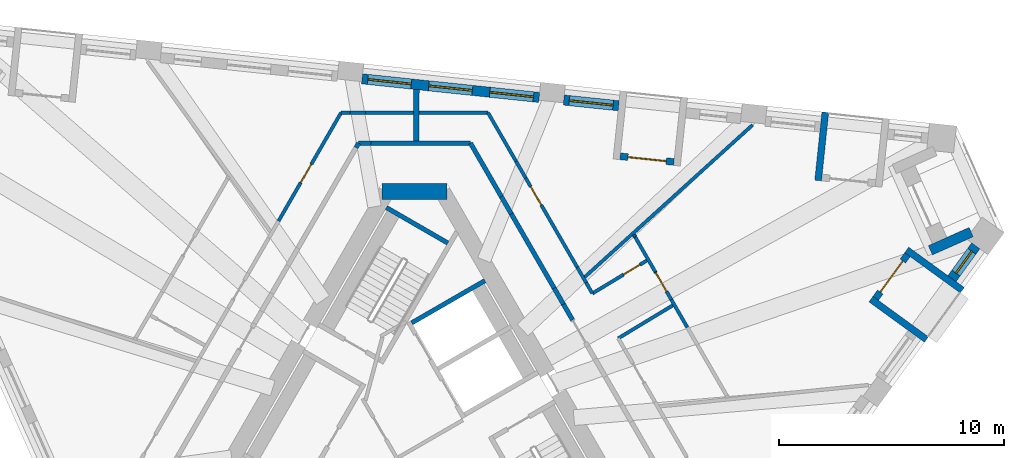
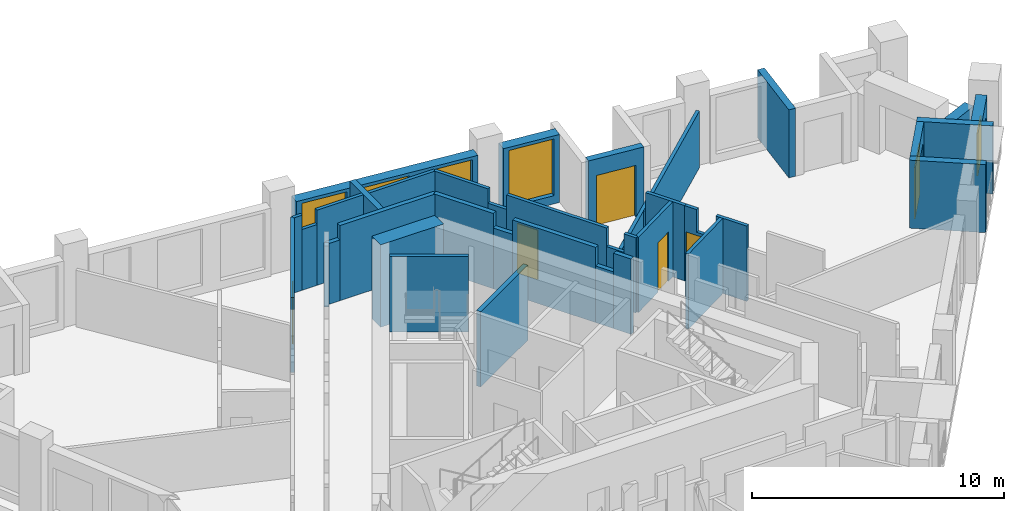
# One storey, part 7 of 11: 37 walls, 6 doors, 5 windows, 11 openings.
"""IFC4 building model written with IfcOpenShell, lengths in metres."""

from ifc_helpers import new_model, si_unit, direction, frame, frame_2d, origin, place, context, subcontext, project, spatial, polyline, rectangle, outline, extrude, material, layer, layer_set, type_object, element, fill, save


model = new_model("IFC4")

# Units and contexts
model_context = context("Model", 3, precision=1e-05, world=origin(), true_north=direction((0.0, 1.0)))
body_context = subcontext(model_context, "Body", "Model", "MODEL_VIEW")
ifc_project = project(units=[si_unit("LENGTHUNIT", "METRE"), si_unit("AREAUNIT", "SQUARE_METRE"), si_unit("VOLUMEUNIT", "CUBIC_METRE"), si_unit("PLANEANGLEUNIT", "RADIAN"), si_unit("MASSUNIT", "GRAM", prefix="KILO")], contexts=[model_context])

# Site, building, storey
site_placement = place(None, origin())
site = spatial("IfcSite", under=ifc_project, at=site_placement, CompositionType="ELEMENT")
building_placement = place(site_placement, origin())
building = spatial("IfcBuilding", under=site, at=building_placement, Name="Tramontana Tower", CompositionType="ELEMENT")
storey_placement = place(building_placement, frame((0.0, 0.0, 245.199951171875)))
storey = spatial("IfcBuildingStorey", under=building, at=storey_placement, Name="L57", CompositionType="ELEMENT", Elevation=245.199951171875)

# Walls
ifc_material_1 = material(Name="Concrete 70 MPa", Category="concrete")
ifc_layer_1 = layer(ifc_material_1, 0.699951171875)
ifc_layer_set_1 = layer_set([ifc_layer_1], Name="Core wall 700 70 MPa")
wall_type_1 = type_object("IfcWallType", Name="Core wall 700 70 MPa", PredefinedType="SHEAR", material=ifc_layer_set_1)
wall_1_placement = place(storey_placement, frame((1.443359375, 10.64990234375, 0.0), z_axis=(0.0, 0.0, 1.0), x_axis=(-1.0, 0.0, 0.0)))
element("IfcWall", 1, at=wall_1_placement, inside=storey, type_object=wall_type_1, Name="Core wall C0 L57", PredefinedType="SHEAR", context=body_context, shape_type="SweptSolid", body=[
    extrude(rectangle(XDim=2.88671875, YDim=0.699951171875, at=frame_2d((1.443359375, 0.0))), origin(), (0.0, 0.0, 1.0), 4.0),
])
ifc_material_2 = material(Name="Blockwork", Category="masonry")
ifc_layer_2 = layer(ifc_material_2, 0.199951171875)
ifc_layer_set_2 = layer_set([ifc_layer_2], Name="ENTRY WALL 200")
wall_type_2 = type_object("IfcWallType", Name="ENTRY WALL 200", PredefinedType="SOLIDWALL", material=ifc_layer_set_2)
wall_2_placement = place(storey_placement, frame((-2.599853515625, 12.596923828125, 0.0), z_axis=(0.0, 0.0, 1.0), x_axis=(0.49972245349, 0.866185586049, 0.0)))
element("IfcWall", 2, at=wall_2_placement, inside=storey, type_object=wall_type_2, Name="Wall v60-ew3-11", PredefinedType="SOLIDWALL", context=body_context, shape_type="SweptSolid", body=[
    extrude(rectangle(XDim=0.234619140625, YDim=0.199951171875, at=frame_2d((0.1171875, 0.0))), origin(), (0.0, 0.0, 1.0), 2.949951171875),
])
wall_3_placement = place(storey_placement, frame((-2.482666015625, 12.800048828125, 0.0), z_axis=(0.0, 0.0, 1.0), x_axis=(1.0, 0.0, 0.0)))
element("IfcWall", 3, at=wall_3_placement, inside=storey, type_object=wall_type_2, Name="Wall v60-ew4-0", PredefinedType="SOLIDWALL", context=body_context, shape_type="SweptSolid", body=[
    extrude(rectangle(XDim=0.5576171875, YDim=0.199951171875, at=frame_2d((0.27880859375, 0.0))), origin(), (0.0, 0.0, 1.0), 2.949951171875),
])
wall_4_placement = place(storey_placement, frame((-1.925048828125, 12.800048828125, 0.0), z_axis=(0.0, 0.0, 1.0), x_axis=(1.0, 0.0, 0.0)))
element("IfcWall", 4, at=wall_4_placement, inside=storey, type_object=wall_type_2, Name="Wall v60-ew4-1", PredefinedType="SOLIDWALL", context=body_context, shape_type="SweptSolid", body=[
    extrude(rectangle(XDim=4.40771484375, YDim=0.199951171875, at=frame_2d((2.203857421875, 0.0))), origin(), (0.0, 0.0, 1.0), 3.650146484375),
])
wall_5_placement = place(storey_placement, frame((2.482666015625, 12.800048828125, 0.0), z_axis=(0.0, 0.0, 1.0), x_axis=(0.499956000529, -0.8660508054, 0.0)))
element("IfcWall", 5, at=wall_5_placement, inside=storey, type_object=wall_type_2, Name="Wall v60-ew5-0", PredefinedType="SOLIDWALL", context=body_context, shape_type="SweptSolid", body=[
    extrude(rectangle(XDim=2.744873046875, YDim=0.199951171875, at=frame_2d((1.37255859375, 0.0))), origin(), (0.0, 0.0, 1.0), 3.650146484375),
])
wall_6_placement = place(storey_placement, frame((3.85498046875, 10.4228515625, 0.0), z_axis=(0.0, 0.0, 1.0), x_axis=(0.500135429527, -0.86594719939, 0.0)))
element("IfcWall", 6, at=wall_6_placement, inside=storey, type_object=wall_type_2, Name="Wall v60-ew5-1", PredefinedType="SOLIDWALL", context=body_context, shape_type="SweptSolid", body=[
    extrude(rectangle(XDim=0.886962890625, YDim=0.199951171875, at=frame_2d((0.443359375, 0.0))), origin(), (0.0, 0.0, 1.0), 2.949951171875),
])
wall_7_placement = place(storey_placement, frame((4.298583984375, 9.65478515625, 0.0), z_axis=(0.0, 0.0, 1.0), x_axis=(0.499997905474, -0.866026613056, 0.0)))
element("IfcWall", 7, at=wall_7_placement, inside=storey, type_object=wall_type_2, Name="Wall v60-ew5-2", PredefinedType="SOLIDWALL", context=body_context, shape_type="SweptSolid", body=[
    extrude(rectangle(XDim=3.810546875, YDim=0.199951171875, at=frame_2d((1.9052734375, 0.0))), origin(), (0.0, 0.0, 1.0), 3.650146484375),
])
wall_8_placement = place(storey_placement, frame((6.203857421875, 6.354736328125, 0.0), z_axis=(0.0, 0.0, 1.0), x_axis=(0.499911126926, -0.866076708598, 0.0)))
element("IfcWall", 8, at=wall_8_placement, inside=storey, type_object=wall_type_2, Name="Wall v60-ew5-3", PredefinedType="SOLIDWALL", context=body_context, shape_type="SweptSolid", body=[
    extrude(rectangle(XDim=0.821533203125, YDim=0.199951171875, at=frame_2d((0.41064453125, 0.0))), origin(), (0.0, 0.0, 1.0), 2.75),
])
wall_9_placement = place(storey_placement, frame((6.614501953125, 5.643310546875, 0.0), z_axis=(0.0, 0.0, 1.0), x_axis=(0.499984757355, -0.866034203951, 0.0)))
element("IfcWall", 9, at=wall_9_placement, inside=storey, type_object=wall_type_2, Name="Wall v60-ew5-4", PredefinedType="SOLIDWALL", context=body_context, shape_type="SweptSolid", body=[
    extrude(rectangle(XDim=0.8056640625, YDim=0.199951171875, at=frame_2d((0.40283203125, 0.0))), origin(), (0.0, 0.0, 1.0), 3.650146484375),
])

# Wall, opening, window
ifc_material_3 = material(Name="Precast concrete 60 MPa", Category="concrete")
ifc_layer_3 = layer(ifc_material_3, 0.449951171875)
ifc_layer_set_3 = layer_set([ifc_layer_3], Name="Precast concrete 60 MPa, 450 mm")
wall_type_3 = type_object("IfcWallType", Name="EW1 Stone-faced precast wall 450", PredefinedType="SOLIDWALL", material=ifc_layer_set_3)
wall_10_placement = place(storey_placement, frame((23.868408203125, 6.77978515625, 0.0), z_axis=(0.0, 0.0, 1.0), x_axis=(0.587793056764, 0.809011324037, 0.0)))
wall_10 = element("IfcWall", 10, at=wall_10_placement, inside=storey, type_object=wall_type_3, Name="External wall L57 face 1 bay 5", PredefinedType="SOLIDWALL", context=body_context, shape_type="SweptSolid", body=[
    extrude(rectangle(XDim=1.80224609375, YDim=0.449951171875, at=frame_2d((0.901123046875, 0.0))), origin(), (0.0, 0.0, 1.0), 3.300048828125),
])
opening_1_placement = place(wall_10_placement, frame((0.301025390625, 0.0, 0.39990234375)))
opening_1 = element("IfcOpeningElement", 11, at=opening_1_placement, cuts=wall_10, Name="Opening N3L", PredefinedType="OPENING", context=body_context, shape_type="SweptSolid", body=[
    extrude(rectangle(XDim=1.199951171875, YDim=2.10009765625, at=frame_2d((0.60009765625, 1.050048828125))), frame((0.0, 0.23486328125, 0.0), z_axis=(0.0, -1.0, 0.0), x_axis=(1.0, 0.0, 0.0)), (0.0, 0.0, 1.0), 0.469970703125),
])
ifc_material_4 = material(Name="Aluminum frame, double glazing unit", Category="aluminium")
window_type_1 = type_object("IfcWindowType", Name="N3L Window 1.2 x 2.1", PartitioningType="SINGLE_PANEL", PredefinedType="WINDOW", material=ifc_material_4)
window_1_placement = place(opening_1_placement, origin())
window_1 = element("IfcWindow", 12, at=window_1_placement, inside=storey, type_object=window_type_1, Name="Window N3L L57 face 1 module 15", OverallHeight=2.10009765625, OverallWidth=1.199951171875, PartitioningType="SINGLE_PANEL", PredefinedType="WINDOW", context=body_context, shape_type="SweptSolid", body=[
    extrude(rectangle(XDim=1.199951171875, YDim=2.10009765625, at=frame_2d((0.60009765625, 1.050048828125))), frame((0.0, 0.030029296875, 0.0), z_axis=(0.0, -1.0, 0.0), x_axis=(1.0, 0.0, 0.0)), (0.0, 0.0, 1.0), 0.06005859375),
])
fill(opening_1, window_1)

wall_11_placement = place(storey_placement, frame((9.06640625, 14.45654296875, 0.0), z_axis=(0.0, 0.0, 1.0), x_axis=(-0.994521805438, 0.10452931889, 0.0)))
wall_11 = element("IfcWall", 13, at=wall_11_placement, inside=storey, type_object=wall_type_3, Name="External wall L57 face 2 bay 2", PredefinedType="SOLIDWALL", context=body_context, shape_type="SweptSolid", body=[
    extrude(rectangle(XDim=2.452392578125, YDim=0.449951171875, at=frame_2d((1.22607421875, 0.0))), origin(), (0.0, 0.0, 1.0), 3.300048828125),
])
opening_2_placement = place(wall_11_placement, frame((0.251220703125, 0.0, 0.39990234375)))
opening_2 = element("IfcOpeningElement", 14, at=opening_2_placement, cuts=wall_11, Name="Opening M3", PredefinedType="OPENING", context=body_context, shape_type="SweptSolid", body=[
    extrude(rectangle(XDim=1.949951171875, YDim=2.75, at=frame_2d((0.97509765625, 1.375))), frame((0.0, 0.23486328125, 0.0), z_axis=(0.0, -1.0, 0.0), x_axis=(1.0, 0.0, 0.0)), (0.0, 0.0, 1.0), 0.469970703125),
])
ifc_material_5 = material(Name="Aluminum frame, double glazing unit", Category="aluminium")
window_type_2 = type_object("IfcWindowType", Name="M3 Window 1.95 x 2.75", PartitioningType="SINGLE_PANEL", PredefinedType="WINDOW", material=ifc_material_5)
window_2_placement = place(opening_2_placement, origin())
window_2 = element("IfcWindow", 15, at=window_2_placement, inside=storey, type_object=window_type_2, Name="Window M3 L57 face 2 module 6", OverallHeight=2.75, OverallWidth=1.949951171875, PartitioningType="SINGLE_PANEL", PredefinedType="WINDOW", context=body_context, shape_type="SweptSolid", body=[
    extrude(rectangle(XDim=1.949951171875, YDim=2.75, at=frame_2d((0.97509765625, 1.375))), frame((0.0, 0.030029296875, 0.0), z_axis=(0.0, -1.0, 0.0), x_axis=(1.0, 0.0, 0.0)), (0.0, 0.0, 1.0), 0.06005859375),
])
fill(opening_2, window_2)

# Wall, openings, windows
wall_12_placement = place(storey_placement, frame((5.53369140625, 14.827880859375, 0.0), z_axis=(0.0, 0.0, 1.0), x_axis=(-0.994522865711, 0.104519230663, 0.0)))
wall_12 = element("IfcWall", 16, at=wall_12_placement, inside=storey, type_object=wall_type_3, Name="External wall L57 face 2 bay 3", PredefinedType="SOLIDWALL", context=body_context, shape_type="SweptSolid", body=[
    extrude(rectangle(XDim=7.90673828125, YDim=0.449951171875, at=frame_2d((3.953369140625, 0.0))), origin(), (0.0, 0.0, 1.0), 3.300048828125),
])
opening_3_placement = place(wall_12_placement, frame((0.251220703125, 0.0, 0.39990234375)))
opening_3 = element("IfcOpeningElement", 17, at=opening_3_placement, cuts=wall_12, Name="Opening M3", PredefinedType="OPENING", context=body_context, shape_type="SweptSolid", body=[
    extrude(rectangle(XDim=1.949951171875, YDim=2.75, at=frame_2d((0.97509765625, 1.375))), frame((0.0, 0.23486328125, 0.0), z_axis=(0.0, -1.0, 0.0), x_axis=(1.0, 0.0, 0.0)), (0.0, 0.0, 1.0), 0.469970703125),
])
opening_4_placement = place(wall_12_placement, frame((2.978271484375, 0.0, 0.39990234375)))
opening_4 = element("IfcOpeningElement", 18, at=opening_4_placement, cuts=wall_12, Name="Opening M3", PredefinedType="OPENING", context=body_context, shape_type="SweptSolid", body=[
    extrude(rectangle(XDim=1.949951171875, YDim=2.75, at=frame_2d((0.97509765625, 1.375))), frame((0.0, 0.23486328125, 0.0), z_axis=(0.0, -1.0, 0.0), x_axis=(1.0, 0.0, 0.0)), (0.0, 0.0, 1.0), 0.469970703125),
])
opening_5_placement = place(wall_12_placement, frame((5.70556640625, 0.0, 0.39990234375)))
opening_5 = element("IfcOpeningElement", 19, at=opening_5_placement, cuts=wall_12, Name="Opening M3", PredefinedType="OPENING", context=body_context, shape_type="SweptSolid", body=[
    extrude(rectangle(XDim=1.949951171875, YDim=2.75, at=frame_2d((0.97509765625, 1.375))), frame((0.0, 0.23486328125, 0.0), z_axis=(0.0, -1.0, 0.0), x_axis=(1.0, 0.0, 0.0)), (0.0, 0.0, 1.0), 0.469970703125),
])
window_3_placement = place(opening_3_placement, origin())
window_3 = element("IfcWindow", 20, at=window_3_placement, inside=storey, type_object=window_type_2, Name="Window M3 L57 face 2 module 7", OverallHeight=2.75, OverallWidth=1.949951171875, PartitioningType="SINGLE_PANEL", PredefinedType="WINDOW", context=body_context, shape_type="SweptSolid", body=[
    extrude(rectangle(XDim=1.949951171875, YDim=2.75, at=frame_2d((0.97509765625, 1.375))), frame((0.0, 0.030029296875, 0.0), z_axis=(0.0, -1.0, 0.0), x_axis=(1.0, 0.0, 0.0)), (0.0, 0.0, 1.0), 0.06005859375),
])
fill(opening_3, window_3)
window_4_placement = place(opening_4_placement, origin())
window_4 = element("IfcWindow", 21, at=window_4_placement, inside=storey, type_object=window_type_2, Name="Window M3 L57 face 2 module 8", OverallHeight=2.75, OverallWidth=1.949951171875, PartitioningType="SINGLE_PANEL", PredefinedType="WINDOW", context=body_context, shape_type="SweptSolid", body=[
    extrude(rectangle(XDim=1.949951171875, YDim=2.75, at=frame_2d((0.97509765625, 1.375))), frame((0.0, 0.030029296875, 0.0), z_axis=(0.0, -1.0, 0.0), x_axis=(1.0, 0.0, 0.0)), (0.0, 0.0, 1.0), 0.06005859375),
])
fill(opening_4, window_4)
window_5_placement = place(opening_5_placement, origin())
window_5 = element("IfcWindow", 22, at=window_5_placement, inside=storey, type_object=window_type_2, Name="Window M3 L57 face 2 module 9", OverallHeight=2.75, OverallWidth=1.949951171875, PartitioningType="SINGLE_PANEL", PredefinedType="WINDOW", context=body_context, shape_type="SweptSolid", body=[
    extrude(rectangle(XDim=1.949951171875, YDim=2.75, at=frame_2d((0.97509765625, 1.375))), frame((0.0, 0.030029296875, 0.0), z_axis=(0.0, -1.0, 0.0), x_axis=(1.0, 0.0, 0.0)), (0.0, 0.0, 1.0), 0.06005859375),
])
fill(opening_5, window_5)

# Wall
wall_13_placement = place(storey_placement, frame((24.71923828125, 8.84375, 0.0), z_axis=(0.0, 0.0, 1.0), x_axis=(-0.913562124494, -0.406699206651, 0.0)))
element("IfcWall", 23, at=wall_13_placement, inside=storey, type_object=wall_type_3, Name="Corner loggia side wall L57 K62r", PredefinedType="SOLIDWALL", context=body_context, shape_type="SweptSolid", body=[
    extrude(rectangle(XDim=1.979248046875, YDim=0.449951171875, at=frame_2d((0.98974609375, 0.0))), origin(), (0.0, 0.0, 1.0), 2.550048828125),
])

# Wall, opening, door
ifc_material_6 = material(Name="Precast concrete 60 MPa", Category="concrete")
ifc_layer_4 = layer(ifc_material_6, 0.300048828125)
ifc_layer_set_4 = layer_set([ifc_layer_4], Name="LW1 Stone-faced loggia wall 300")
wall_type_4 = type_object("IfcWallType", Name="LW1 Stone-faced loggia wall 300", PredefinedType="SOLIDWALL", material=ifc_layer_set_4)
wall_14_placement = place(storey_placement, frame((20.47998046875, 5.9013671875, 0.0), z_axis=(0.0, 0.0, 1.0), x_axis=(0.587833242688, 0.808982125137, 0.0)))
wall_14 = element("IfcWall", 24, at=wall_14_placement, inside=storey, type_object=wall_type_4, Name="Loggia wall L57 G6S1.13", PredefinedType="SOLIDWALL", context=body_context, shape_type="SweptSolid", body=[
    extrude(rectangle(XDim=2.40234375, YDim=0.300048828125, at=frame_2d((1.201171875, 0.0))), origin(), (0.0, 0.0, 1.0), 3.300048828125),
])
opening_6_placement = place(wall_14_placement, frame((0.35107421875, 0.0, 0.0)))
opening_6 = element("IfcOpeningElement", 25, at=opening_6_placement, cuts=wall_14, Name="Opening BD-6S1-13", PredefinedType="OPENING", context=body_context, shape_type="SweptSolid", body=[
    extrude(rectangle(XDim=1.699951171875, YDim=2.5, at=frame_2d((0.85009765625, 1.25))), frame((0.0, 0.159912109375, 0.0), z_axis=(0.0, -1.0, 0.0), x_axis=(1.0, 0.0, 0.0)), (0.0, 0.0, 1.0), 0.320068359375),
])
ifc_material_7 = material(Name="Aluminum frame, double glazing unit", Category="aluminium")
door_type_1 = type_object("IfcDoorType", Name="BD3 Sliding door 1.7 x 2.5", OperationType="SLIDING_TO_LEFT", PredefinedType="DOOR", material=ifc_material_7)
door_1_placement = place(opening_6_placement, origin())
door_1 = element("IfcDoor", 26, at=door_1_placement, inside=storey, type_object=door_type_1, Name="Loggia door L57 G6S1.13", OperationType="SLIDING_TO_LEFT", OverallHeight=2.5, OverallWidth=1.699951171875, PredefinedType="DOOR", context=body_context, shape_type="SweptSolid", body=[
    extrude(rectangle(XDim=1.699951171875, YDim=2.5, at=frame_2d((0.85009765625, 1.25))), frame((0.0, 0.02490234375, 0.0), z_axis=(0.0, -1.0, 0.0), x_axis=(1.0, 0.0, 0.0)), (0.0, 0.0, 1.0), 0.050048828125),
])
fill(opening_6, door_1)

# Walls
for number, where, z_axis, x_axis, name in (
    (27, (22.738037109375, 4.075439453125, 0.0), (0.0, 0.0, 1.0), (-0.80902328748, 0.587776590479, 0.0), "Loggia return L57 G6S1.13a"),
    (28, (24.326416015625, 6.261474609375, 0.0), (0.0, 0.0, 1.0), (-0.808985223782, 0.587828978278, 0.0), "Loggia return L57 G6S1.13b"),
):
    element("IfcWall", number, at=place(storey_placement, frame(where, z_axis=z_axis, x_axis=x_axis)), inside=storey, type_object=wall_type_4, Name=name, PredefinedType="SOLIDWALL", context=body_context, shape_type="SweptSolid", body=[
        extrude(rectangle(XDim=3.050048828125, YDim=0.300048828125, at=frame_2d((1.52490234375, 0.0))), origin(), (0.0, 0.0, 1.0), 3.300048828125),
    ])
wall_15_placement = place(storey_placement, frame((18.243408203125, 14.170654296875, 0.0), z_axis=(0.0, 0.0, 1.0), x_axis=(-0.104543108891, -0.994520355942, 0.0)))
element("IfcWall", 29, at=wall_15_placement, inside=storey, type_object=wall_type_4, Name="Loggia return L57 G6S2.1b", PredefinedType="SOLIDWALL", context=body_context, shape_type="SweptSolid", body=[
    extrude(rectangle(XDim=3.0498046875, YDim=0.300048828125, at=frame_2d((1.52490234375, 0.0))), origin(), (0.0, 0.0, 1.0), 3.300048828125),
])

# Wall, opening, door
wall_16_placement = place(storey_placement, frame((11.521240234375, 11.961181640625, 0.0), z_axis=(0.0, 0.0, 1.0), x_axis=(-0.994517140727, 0.104573690763, 0.0)))
wall_16 = element("IfcWall", 30, at=wall_16_placement, inside=storey, type_object=wall_type_4, Name="Loggia wall L57 G6S2.4", PredefinedType="SOLIDWALL", context=body_context, shape_type="SweptSolid", body=[
    extrude(rectangle(XDim=2.40234375, YDim=0.300048828125, at=frame_2d((1.201171875, 0.0))), origin(), (0.0, 0.0, 1.0), 3.300048828125),
])
opening_7_placement = place(wall_16_placement, frame((0.35107421875, 0.0, 0.0)))
opening_7 = element("IfcOpeningElement", 31, at=opening_7_placement, cuts=wall_16, Name="Opening BD-6S2-04", PredefinedType="OPENING", context=body_context, shape_type="SweptSolid", body=[
    extrude(rectangle(XDim=1.699951171875, YDim=2.5, at=frame_2d((0.85009765625, 1.25))), frame((0.0, 0.159912109375, 0.0), z_axis=(0.0, -1.0, 0.0), x_axis=(1.0, 0.0, 0.0)), (0.0, 0.0, 1.0), 0.320068359375),
])
door_2_placement = place(opening_7_placement, origin())
door_2 = element("IfcDoor", 32, at=door_2_placement, inside=storey, type_object=door_type_1, Name="Loggia door L57 G6S2.4", OperationType="SLIDING_TO_LEFT", OverallHeight=2.5, OverallWidth=1.699951171875, PredefinedType="DOOR", context=body_context, shape_type="SweptSolid", body=[
    extrude(rectangle(XDim=1.699951171875, YDim=2.5, at=frame_2d((0.85009765625, 1.25))), frame((0.0, 0.02490234375, 0.0), z_axis=(0.0, -1.0, 0.0), x_axis=(1.0, 0.0, 0.0)), (0.0, 0.0, 1.0), 0.050048828125),
])
fill(opening_7, door_2)

ifc_material_8 = material(Name="Gypsum board partition")
ifc_layer_5 = layer(ifc_material_8, 0.14990234375)
ifc_layer_set_5 = layer_set([ifc_layer_5], Name="PARTITION 150")
wall_type_5 = type_object("IfcWallType", Name="PARTITION 150", PredefinedType="PARTITIONING", material=ifc_layer_set_5)
wall_17_placement = place(storey_placement, frame((-6.040283203125, 9.337890625, 0.0), z_axis=(0.0, 0.0, 1.0), x_axis=(0.500014044516, 0.866017295027, 0.0)))
wall_17 = element("IfcWall", 33, at=wall_17_placement, inside=storey, type_object=wall_type_5, Name="Wall v60-pw00-10", PredefinedType="PARTITIONING", context=body_context, shape_type="SweptSolid", body=[
    extrude(rectangle(XDim=5.556396484375, YDim=0.14990234375, at=frame_2d((2.7783203125, 0.0))), origin(), (0.0, 0.0, 1.0), 3.650146484375),
])
opening_8_placement = place(wall_17_placement, frame((1.970947265625, 0.0, 0.0)))
opening_8 = element("IfcOpeningElement", 34, at=opening_8_placement, cuts=wall_17, Name="Opening B6A-02", PredefinedType="OPENING", context=body_context, shape_type="SweptSolid", body=[
    extrude(rectangle(XDim=0.949951171875, YDim=2.39990234375, at=frame_2d((0.47509765625, 1.199951171875))), frame((0.0, 0.0849609375, 0.0), z_axis=(0.0, -1.0, 0.0), x_axis=(1.0, 0.0, 0.0)), (0.0, 0.0, 1.0), 0.169921875),
])
ifc_material_9 = material(Name="Painted timber", Category="wood")
door_type_2 = type_object("IfcDoorType", Name="DOOR ROOM 950", OperationType="SINGLE_SWING_LEFT", PredefinedType="DOOR", material=ifc_material_9)
door_3_placement = place(opening_8_placement, origin())
door_3 = element("IfcDoor", 35, at=door_3_placement, inside=storey, type_object=door_type_2, Name="Door B6A-02", OperationType="SINGLE_SWING_RIGHT", OverallHeight=2.39990234375, OverallWidth=0.949951171875, PredefinedType="DOOR", context=body_context, shape_type="SweptSolid", body=[
    extrude(rectangle(XDim=0.949951171875, YDim=2.39990234375, at=frame_2d((0.47509765625, 1.199951171875))), frame((0.0, 0.02490234375, 0.0), z_axis=(0.0, -1.0, 0.0), x_axis=(1.0, 0.0, 0.0)), (0.0, 0.0, 1.0), 0.050048828125),
])
fill(opening_8, door_3)

# Walls
wall_18_placement = place(storey_placement, frame((-3.261962890625, 14.14990234375, 0.0), z_axis=(0.0, 0.0, 1.0), x_axis=(1.0, 0.0, 0.0)))
element("IfcWall", 36, at=wall_18_placement, inside=storey, type_object=wall_type_5, Name="Wall v60-pw08-0", PredefinedType="PARTITIONING", context=body_context, shape_type="SweptSolid", body=[
    extrude(rectangle(XDim=0.398193359375, YDim=0.14990234375, at=frame_2d((0.19921875, 0.0))), origin(), (0.0, 0.0, 1.0), 3.650146484375),
])
wall_19_placement = place(storey_placement, frame((-2.86376953125, 14.14990234375, 0.0), z_axis=(0.0, 0.0, 1.0), x_axis=(1.0, 0.0, 0.0)))
element("IfcWall", 37, at=wall_19_placement, inside=storey, type_object=wall_type_5, Name="Wall v60-pw08-1", PredefinedType="PARTITIONING", context=body_context, shape_type="SweptSolid", body=[
    extrude(rectangle(XDim=0.685546875, YDim=0.14990234375, at=frame_2d((0.3427734375, 0.0))), origin(), (0.0, 0.0, 1.0), 2.949951171875),
])
wall_20_placement = place(storey_placement, frame((-2.17822265625, 14.14990234375, 0.0), z_axis=(0.0, 0.0, 1.0), x_axis=(1.0, 0.0, 0.0)))
element("IfcWall", 38, at=wall_20_placement, inside=storey, type_object=wall_type_5, Name="Wall v60-pw08-2", PredefinedType="PARTITIONING", context=body_context, shape_type="SweptSolid", body=[
    extrude(rectangle(XDim=5.440185546875, YDim=0.14990234375, at=frame_2d((2.72021484375, 0.0))), origin(), (0.0, 0.0, 1.0), 3.650146484375),
])
wall_21_placement = place(storey_placement, frame((3.261962890625, 14.14990234375, 0.0), z_axis=(0.0, 0.0, 1.0), x_axis=(0.500042260233, -0.866001003452, 0.0)))
element("IfcWall", 39, at=wall_21_placement, inside=storey, type_object=wall_type_5, Name="Wall v60-pw15-0", PredefinedType="PARTITIONING", context=body_context, shape_type="SweptSolid", body=[
    extrude(rectangle(XDim=2.489013671875, YDim=0.14990234375, at=frame_2d((1.24462890625, 0.0))), origin(), (0.0, 0.0, 1.0), 3.650146484375),
])
wall_22_placement = place(storey_placement, frame((4.506591796875, 11.994384765625, 0.0), z_axis=(0.0, 0.0, 1.0), x_axis=(0.499944768143, -0.866057289563, 0.0)))
element("IfcWall", 40, at=wall_22_placement, inside=storey, type_object=wall_type_5, Name="Wall v60-pw15-1", PredefinedType="PARTITIONING", context=body_context, shape_type="SweptSolid", body=[
    extrude(rectangle(XDim=0.85546875, YDim=0.14990234375, at=frame_2d((0.427734375, 0.0))), origin(), (0.0, 0.0, 1.0), 2.949951171875),
])

# Wall, opening, door
wall_23_placement = place(storey_placement, frame((4.934326171875, 11.25341796875, 0.0), z_axis=(0.0, 0.0, 1.0), x_axis=(0.500001111708, -0.866024761939, 0.0)))
wall_23 = element("IfcWall", 41, at=wall_23_placement, inside=storey, type_object=wall_type_5, Name="Wall v60-pw15-2", PredefinedType="PARTITIONING", context=body_context, shape_type="SweptSolid", body=[
    extrude(rectangle(XDim=4.57568359375, YDim=0.14990234375, at=frame_2d((2.287841796875, 0.0))), origin(), (0.0, 0.0, 1.0), 3.650146484375),
])
opening_9_placement = place(wall_23_placement, frame((0.445068359375, 0.0, 0.0)))
opening_9 = element("IfcOpeningElement", 42, at=opening_9_placement, cuts=wall_23, Name="Opening B6A-14", PredefinedType="OPENING", context=body_context, shape_type="SweptSolid", body=[
    extrude(rectangle(XDim=0.949951171875, YDim=2.39990234375, at=frame_2d((0.47509765625, 1.199951171875))), frame((0.0, 0.0849609375, 0.0), z_axis=(0.0, -1.0, 0.0), x_axis=(1.0, 0.0, 0.0)), (0.0, 0.0, 1.0), 0.169921875),
])
door_4_placement = place(opening_9_placement, origin())
door_4 = element("IfcDoor", 43, at=door_4_placement, inside=storey, type_object=door_type_2, Name="Door B6A-14", OperationType="SINGLE_SWING_RIGHT", OverallHeight=2.39990234375, OverallWidth=0.949951171875, PredefinedType="DOOR", context=body_context, shape_type="SweptSolid", body=[
    extrude(rectangle(XDim=0.949951171875, YDim=2.39990234375, at=frame_2d((0.47509765625, 1.199951171875))), frame((0.0, 0.02490234375, 0.0), z_axis=(0.0, -1.0, 0.0), x_axis=(1.0, 0.0, 0.0)), (0.0, 0.0, 1.0), 0.050048828125),
])
fill(opening_9, door_4)

# Walls
wall_24_placement = place(storey_placement, frame((7.22216796875, 7.290771484375, 0.0), z_axis=(0.0, 0.0, 1.0), x_axis=(0.500032254052, -0.866006781098, 0.0)))
element("IfcWall", 44, at=wall_24_placement, inside=storey, type_object=wall_type_5, Name="Wall v60-pw15-3", PredefinedType="PARTITIONING", context=body_context, shape_type="SweptSolid", body=[
    extrude(rectangle(XDim=0.7958984375, YDim=0.14990234375, at=frame_2d((0.39794921875, 0.0))), origin(), (0.0, 0.0, 1.0), 2.75),
])
wall_25_placement = place(storey_placement, frame((7.6201171875, 6.6015625, 0.0), z_axis=(0.0, 0.0, 1.0), x_axis=(0.500093091412, -0.865971650761, 0.0)))
element("IfcWall", 45, at=wall_25_placement, inside=storey, type_object=wall_type_5, Name="Wall v60-pw15-4", PredefinedType="PARTITIONING", context=body_context, shape_type="SweptSolid", body=[
    extrude(rectangle(XDim=0.55126953125, YDim=0.14990234375, at=frame_2d((0.275634765625, 0.0))), origin(), (0.0, 0.0, 1.0), 3.650146484375),
])
wall_26_placement = place(storey_placement, frame((7.56201171875, 6.852294921875, 0.0), z_axis=(0.0, 0.0, 1.0), x_axis=(0.741038665238, 0.671462356817, 0.0)))
element("IfcWall", 46, at=wall_26_placement, inside=storey, type_object=wall_type_5, Name="Wall v60-pw16-0", PredefinedType="PARTITIONING", context=body_context, shape_type="SweptSolid", body=[
    extrude(rectangle(XDim=10.056640625, YDim=0.14990234375, at=frame_2d((5.0283203125, 0.0))), origin(), (0.0, 0.0, 1.0), 2.75),
])

# Wall, opening, door
wall_27_placement = place(storey_placement, frame((7.901123046875, 6.123046875, 0.0), z_axis=(0.0, 0.0, 1.0), x_axis=(0.855708816302, 0.517457652087, 0.0)))
wall_27 = element("IfcWall", 47, at=wall_27_placement, inside=storey, type_object=wall_type_5, Name="Wall v60-pw17", PredefinedType="PARTITIONING", context=body_context, shape_type="SweptSolid", body=[
    extrude(rectangle(XDim=2.821533203125, YDim=0.14990234375, at=frame_2d((1.41064453125, 0.0))), origin(), (0.0, 0.0, 1.0), 3.650146484375),
])
opening_10_placement = place(wall_27_placement, frame((1.6201171875, 0.0, 0.0)))
opening_10 = element("IfcOpeningElement", 48, at=opening_10_placement, cuts=wall_27, Name="Opening B6A-11", PredefinedType="OPENING", context=body_context, shape_type="SweptSolid", body=[
    extrude(rectangle(XDim=0.85009765625, YDim=2.39990234375, at=frame_2d((0.425048828125, 1.199951171875))), frame((0.0, 0.0849609375, 0.0), z_axis=(0.0, -1.0, 0.0), x_axis=(1.0, 0.0, 0.0)), (0.0, 0.0, 1.0), 0.169921875),
])
ifc_material_10 = material(Name="Painted timber", Category="wood")
door_type_3 = type_object("IfcDoorType", Name="DOOR BATH 850", OperationType="SINGLE_SWING_LEFT", PredefinedType="DOOR", material=ifc_material_10)
door_5_placement = place(opening_10_placement, origin())
door_5 = element("IfcDoor", 49, at=door_5_placement, inside=storey, type_object=door_type_3, Name="Door B6A-11", OperationType="SINGLE_SWING_LEFT", OverallHeight=2.39990234375, OverallWidth=0.85009765625, PredefinedType="DOOR", context=body_context, shape_type="SweptSolid", body=[
    extrude(rectangle(XDim=0.85009765625, YDim=2.39990234375, at=frame_2d((0.425048828125, 1.199951171875))), frame((0.0, 0.02490234375, 0.0), z_axis=(0.0, -1.0, 0.0), x_axis=(1.0, 0.0, 0.0)), (0.0, 0.0, 1.0), 0.050048828125),
])
fill(opening_10, door_5)

# Walls
wall_28_placement = place(storey_placement, frame((9.741943359375, 8.726318359375, 0.0), z_axis=(0.0, 0.0, 1.0), x_axis=(0.500943559977, -0.865479953388, 0.0)))
element("IfcWall", 50, at=wall_28_placement, inside=storey, type_object=wall_type_5, Name="Wall v60-pw19-0", PredefinedType="PARTITIONING", context=body_context, shape_type="SweptSolid", body=[
    extrude(rectangle(XDim=0.103759765625, YDim=0.14990234375, at=frame_2d((0.0517578125, 0.0))), origin(), (0.0, 0.0, 1.0), 2.75),
])
wall_29_placement = place(storey_placement, frame((9.7939453125, 8.636474609375, 0.0), z_axis=(0.0, 0.0, 1.0), x_axis=(0.499953802258, -0.86605207442, 0.0)))
element("IfcWall", 51, at=wall_29_placement, inside=storey, type_object=wall_type_5, Name="Wall v60-pw19-1", PredefinedType="PARTITIONING", context=body_context, shape_type="SweptSolid", body=[
    extrude(rectangle(XDim=1.796630859375, YDim=0.14990234375, at=frame_2d((0.8984375, 0.0))), origin(), (0.0, 0.0, 1.0), 3.650146484375),
])

# Wall, opening, door
wall_30_placement = place(storey_placement, frame((10.692138671875, 7.08056640625, 0.0), z_axis=(0.0, 0.0, 1.0), x_axis=(0.499969479948, -0.866043023828, 0.0)))
wall_30 = element("IfcWall", 52, at=wall_30_placement, inside=storey, type_object=wall_type_5, Name="Wall v60-pw19-2", PredefinedType="PARTITIONING", context=body_context, shape_type="SweptSolid", body=[
    extrude(outline(polyline([(0.0, 0.0), (1.42578125, 0.0), (1.42578125, 2.550048828125), (0.550537109375, 2.550048828125), (0.550537109375, 3.650146484375), (0.0, 3.650146484375), (0.0, 0.0)])), frame((0.0, 0.074951171875, 0.0), z_axis=(0.0, -1.0, 0.0), x_axis=(1.0, 0.0, 0.0)), (0.0, 0.0, 1.0), 0.14990234375),
])
opening_11_placement = place(wall_30_placement, frame((0.050048828125, 0.0, 0.0)))
opening_11 = element("IfcOpeningElement", 53, at=opening_11_placement, cuts=wall_30, Name="Opening B6A-12", PredefinedType="OPENING", context=body_context, shape_type="SweptSolid", body=[
    extrude(rectangle(XDim=0.949951171875, YDim=2.39990234375, at=frame_2d((0.47509765625, 1.199951171875))), frame((0.0, 0.0849609375, 0.0), z_axis=(0.0, -1.0, 0.0), x_axis=(1.0, 0.0, 0.0)), (0.0, 0.0, 1.0), 0.169921875),
])
door_6_placement = place(opening_11_placement, origin())
door_6 = element("IfcDoor", 54, at=door_6_placement, inside=storey, type_object=door_type_2, Name="Door B6A-12", OperationType="SINGLE_SWING_RIGHT", OverallHeight=2.39990234375, OverallWidth=0.949951171875, PredefinedType="DOOR", context=body_context, shape_type="SweptSolid", body=[
    extrude(rectangle(XDim=0.949951171875, YDim=2.39990234375, at=frame_2d((0.47509765625, 1.199951171875))), frame((0.0, 0.02490234375, 0.0), z_axis=(0.0, -1.0, 0.0), x_axis=(1.0, 0.0, 0.0)), (0.0, 0.0, 1.0), 0.050048828125),
])
fill(opening_11, door_6)

# Walls
wall_31_placement = place(storey_placement, frame((11.405029296875, 5.845703125, 0.0), z_axis=(0.0, 0.0, 1.0), x_axis=(0.500103350459, -0.865965726146, 0.0)))
element("IfcWall", 55, at=wall_31_placement, inside=storey, type_object=wall_type_5, Name="Wall v60-pw19-3", PredefinedType="PARTITIONING", context=body_context, shape_type="SweptSolid", body=[
    extrude(rectangle(XDim=1.424072265625, YDim=0.14990234375, at=frame_2d((0.7119140625, 0.0))), origin(), (0.0, 0.0, 1.0), 3.650146484375),
])
wall_32_placement = place(storey_placement, frame((11.465576171875, 5.5908203125, 0.0), z_axis=(0.0, 0.0, 1.0), x_axis=(-0.855670500176, -0.517521009359, 0.0)))
element("IfcWall", 56, at=wall_32_placement, inside=storey, type_object=wall_type_5, Name="Wall v60-pw24", PredefinedType="PARTITIONING", context=body_context, shape_type="SweptSolid", body=[
    extrude(rectangle(XDim=2.821533203125, YDim=0.14990234375, at=frame_2d((1.41064453125, 0.0))), origin(), (0.0, 0.0, 1.0), 3.650146484375),
])
ifc_material_11 = material(Name="Blockwork", Category="masonry")
ifc_layer_6 = layer(ifc_material_11, 0.25)
ifc_layer_set_6 = layer_set([ifc_layer_6], Name="PARTY WALL 250")
wall_type_6 = type_object("IfcWallType", Name="PARTY WALL 250", PredefinedType="SOLIDWALL", material=ifc_layer_set_6)
wall_33_placement = place(storey_placement, frame((0.08544921875, 15.174072265625, 0.0), z_axis=(0.0, 0.0, 1.0), x_axis=(-0.005582307008, -0.999984418803, 0.0)))
element("IfcWall", 57, at=wall_33_placement, inside=storey, type_object=wall_type_6, Name="Wall v60-pw11", PredefinedType="SOLIDWALL", context=body_context, shape_type="SweptSolid", body=[
    extrude(rectangle(XDim=2.274169921875, YDim=0.25, at=frame_2d((1.13720703125, 0.0))), origin(), (0.0, 0.0, 1.0), 3.650146484375),
])
ifc_material_12 = material(Name="Concrete 70 MPa", Category="concrete")
ifc_layer_7 = layer(ifc_material_12, 0.199951171875)
ifc_layer_set_7 = layer_set([ifc_layer_7], Name="Concrete 70 MPa, 200 mm")
wall_type_7 = type_object("IfcWallType", Name="RC STAIR AND SHAFT WALL 200", PredefinedType="SOLIDWALL", material=ifc_layer_set_7)
wall_34_placement = place(storey_placement, frame((1.478515625, 8.36083984375, 0.0), z_axis=(0.0, 0.0, 1.0), x_axis=(-0.866035871367, 0.499981869177, 0.0)))
element("IfcWall", 58, at=wall_34_placement, inside=storey, type_object=wall_type_7, Name="Wall st1-far", PredefinedType="SOLIDWALL", context=body_context, shape_type="SweptSolid", body=[
    extrude(rectangle(XDim=3.14990234375, YDim=0.199951171875, at=frame_2d((1.574951171875, 0.0))), origin(), (0.0, 0.0, 1.0), 3.650146484375),
])
wall_35_placement = place(storey_placement, frame((-0.123046875, 4.813232421875, 0.0), z_axis=(0.0, 0.0, 1.0), x_axis=(0.866022959057, 0.500004234368, 0.0)))
element("IfcWall", 59, at=wall_35_placement, inside=storey, type_object=wall_type_7, Name="Wall row2-side2", PredefinedType="SOLIDWALL", context=body_context, shape_type="SweptSolid", body=[
    extrude(rectangle(XDim=3.75, YDim=0.199951171875, at=frame_2d((1.875, 0.0))), origin(), (0.0, 0.0, 1.0), 3.650146484375),
])

save(model, "model.ifc")
